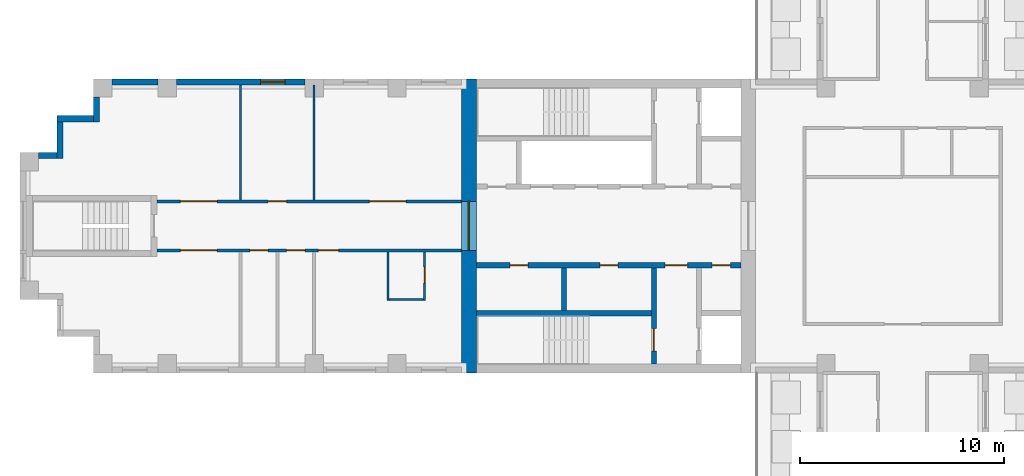
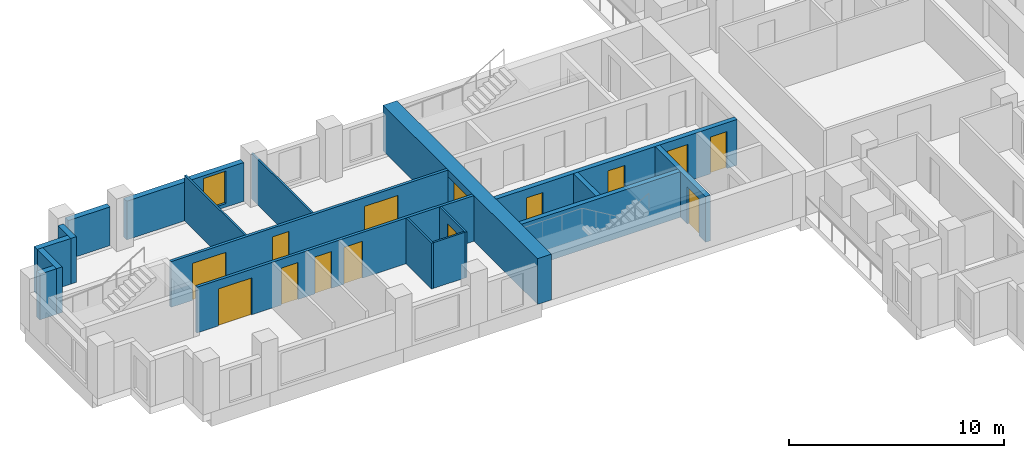
# One storey, part 3 of 11: 18 walls, 14 doors, 1 window, 15 openings.
"""IFC4 building model written with IfcOpenShell, lengths in metres."""

from ifc_helpers import new_model, si_unit, direction, frame, frame_2d, origin, place, context, subcontext, project, spatial, rectangle, extrude, material, layer, layer_set, type_object, element, fill, save


model = new_model("IFC4")

# Units and contexts
model_context = context("Model", 3, precision=1e-05, world=origin(), true_north=direction((0.0, 1.0)))
body_context = subcontext(model_context, "Body", "Model", "MODEL_VIEW")
ifc_project = project(units=[si_unit("LENGTHUNIT", "METRE"), si_unit("AREAUNIT", "SQUARE_METRE"), si_unit("VOLUMEUNIT", "CUBIC_METRE"), si_unit("PLANEANGLEUNIT", "RADIAN"), si_unit("MASSUNIT", "GRAM", prefix="KILO")], contexts=[model_context])

# Site, building, storey
site_placement = place(None, origin())
site = spatial("IfcSite", under=ifc_project, at=site_placement, CompositionType="ELEMENT")
building_placement = place(site_placement, origin())
building = spatial("IfcBuilding", under=site, at=building_placement, Name="Fustian Cross Tower", CompositionType="ELEMENT")
storey_placement = place(building_placement, frame((0.0, 0.0, 144.300048828125)))
storey = spatial("IfcBuildingStorey", under=building, at=storey_placement, Name="L45", CompositionType="ELEMENT", Elevation=144.300048828125)

# Wall, openings, doors
ifc_material_1 = material(Name="Plasterboard on steel stud", Category="steel")
ifc_layer_1 = layer(ifc_material_1, 0.14990234375)
ifc_layer_set_1 = layer_set([ifc_layer_1], Name="Plasterboard on steel stud")
wall_type_1 = type_object("IfcWallType", Name="COMPARTMENT WALL 150 EI 60", PredefinedType="PARTITIONING", material=ifc_layer_set_1)
wall_1_placement = place(storey_placement, frame((-36.5, -1.199951171875, 0.0), z_axis=(0.0, 0.0, 1.0), x_axis=(1.0, 0.0, 0.0)))
wall_1 = element("IfcWall", 1, at=wall_1_placement, inside=storey, type_object=wall_type_1, Name="Partition 1", PredefinedType="PARTITIONING", context=body_context, shape_type="SweptSolid", body=[
    extrude(rectangle(XDim=14.89990234375, YDim=0.14990234375, at=frame_2d((7.449951171875, 0.0))), origin(), (0.0, 0.0, 1.0), 2.599853515625),
])
opening_1_placement = place(wall_1_placement, frame((7.89990234375, 0.0, 0.0)))
opening_1 = element("IfcOpeningElement", 2, at=opening_1_placement, cuts=wall_1, Name="Opening D20021", PredefinedType="OPENING", context=body_context, shape_type="SweptSolid", body=[
    extrude(rectangle(XDim=1.0, YDim=2.10009765625, at=frame_2d((0.5, 1.050048828125))), frame((0.0, 0.0849609375, 0.0), z_axis=(0.0, -1.0, 0.0), x_axis=(1.0, 0.0, 0.0)), (0.0, 0.0, 1.0), 0.169921875),
])
opening_2_placement = place(wall_1_placement, frame((6.35009765625, 0.0, 0.0)))
opening_2 = element("IfcOpeningElement", 3, at=opening_2_placement, cuts=wall_1, Name="Opening D20022", PredefinedType="OPENING", context=body_context, shape_type="SweptSolid", body=[
    extrude(rectangle(XDim=0.89990234375, YDim=2.10009765625, at=frame_2d((0.449951171875, 1.050048828125))), frame((0.0, 0.0849609375, 0.0), z_axis=(0.0, -1.0, 0.0), x_axis=(1.0, 0.0, 0.0)), (0.0, 0.0, 1.0), 0.169921875),
])
opening_3_placement = place(wall_1_placement, frame((4.550048828125, 0.0, 0.0)))
opening_3 = element("IfcOpeningElement", 4, at=opening_3_placement, cuts=wall_1, Name="Opening D20023", PredefinedType="OPENING", context=body_context, shape_type="SweptSolid", body=[
    extrude(rectangle(XDim=0.89990234375, YDim=2.10009765625, at=frame_2d((0.449951171875, 1.050048828125))), frame((0.0, 0.0849609375, 0.0), z_axis=(0.0, -1.0, 0.0), x_axis=(1.0, 0.0, 0.0)), (0.0, 0.0, 1.0), 0.169921875),
])
opening_4_placement = place(wall_1_placement, frame((1.14990234375, 0.0, 0.0)))
opening_4 = element("IfcOpeningElement", 5, at=opening_4_placement, cuts=wall_1, Name="Opening D20024", PredefinedType="OPENING", context=body_context, shape_type="SweptSolid", body=[
    extrude(rectangle(XDim=1.800048828125, YDim=2.10009765625, at=frame_2d((0.89990234375, 1.050048828125))), frame((0.0, 0.0849609375, 0.0), z_axis=(0.0, -1.0, 0.0), x_axis=(1.0, 0.0, 0.0)), (0.0, 0.0, 1.0), 0.169921875),
])
ifc_material_2 = material(Name="Timber fire door set", Category="wood")
door_type_1 = type_object("IfcDoorType", Name="FIRE DOUBLE DOOR 1800 FD30S", OperationType="DOUBLE_DOOR_DOUBLE_SWING", PredefinedType="DOOR", material=ifc_material_2)
door_1_placement = place(opening_4_placement, origin())
door_1 = element("IfcDoor", 6, at=door_1_placement, inside=storey, type_object=door_type_1, Name="Door D20024", OperationType="DOUBLE_DOOR_DOUBLE_SWING", OverallHeight=2.10009765625, OverallWidth=1.800048828125, PredefinedType="DOOR", context=body_context, shape_type="SweptSolid", body=[
    extrude(rectangle(XDim=1.800048828125, YDim=2.10009765625, at=frame_2d((0.89990234375, 1.050048828125))), frame((0.0, 0.02490234375, 0.0), z_axis=(0.0, -1.0, 0.0), x_axis=(1.0, 0.0, 0.0)), (0.0, 0.0, 1.0), 0.050048828125),
])
fill(opening_4, door_1)
ifc_material_3 = material(Name="Timber fire door set", Category="wood")
door_type_2 = type_object("IfcDoorType", Name="FIRE SWING DOOR 1000 FD30S", OperationType="SINGLE_SWING_LEFT", PredefinedType="DOOR", material=ifc_material_3)
door_2_placement = place(opening_1_placement, frame((1.0, 0.0, 0.0), z_axis=(0.0, 0.0, 1.0), x_axis=(-1.0, 0.0, 0.0)))
door_2 = element("IfcDoor", 7, at=door_2_placement, inside=storey, type_object=door_type_2, Name="Door D20021", OperationType="SINGLE_SWING_RIGHT", OverallHeight=2.10009765625, OverallWidth=1.0, PredefinedType="DOOR", context=body_context, shape_type="SweptSolid", body=[
    extrude(rectangle(XDim=1.0, YDim=2.10009765625, at=frame_2d((0.5, 1.050048828125))), frame((0.0, 0.02490234375, 0.0), z_axis=(0.0, -1.0, 0.0), x_axis=(1.0, 0.0, 0.0)), (0.0, 0.0, 1.0), 0.050048828125),
])
fill(opening_1, door_2)
ifc_material_4 = material(Name="Timber fire door set", Category="wood")
door_type_3 = type_object("IfcDoorType", Name="FIRE SWING DOOR 900 FD30S", OperationType="SINGLE_SWING_LEFT", PredefinedType="DOOR", material=ifc_material_4)
door_3_placement = place(opening_2_placement, origin())
door_3 = element("IfcDoor", 8, at=door_3_placement, inside=storey, type_object=door_type_3, Name="Door D20022", OperationType="SINGLE_SWING_LEFT", OverallHeight=2.10009765625, OverallWidth=0.89990234375, PredefinedType="DOOR", context=body_context, shape_type="SweptSolid", body=[
    extrude(rectangle(XDim=0.89990234375, YDim=2.10009765625, at=frame_2d((0.449951171875, 1.050048828125))), frame((0.0, 0.02490234375, 0.0), z_axis=(0.0, -1.0, 0.0), x_axis=(1.0, 0.0, 0.0)), (0.0, 0.0, 1.0), 0.050048828125),
])
fill(opening_2, door_3)
door_4_placement = place(opening_3_placement, frame((0.89990234375, 0.0, 0.0), z_axis=(0.0, 0.0, 1.0), x_axis=(-1.0, 0.0, 0.0)))
door_4 = element("IfcDoor", 9, at=door_4_placement, inside=storey, type_object=door_type_3, Name="Door D20023", OperationType="SINGLE_SWING_LEFT", OverallHeight=2.10009765625, OverallWidth=0.89990234375, PredefinedType="DOOR", context=body_context, shape_type="SweptSolid", body=[
    extrude(rectangle(XDim=0.89990234375, YDim=2.10009765625, at=frame_2d((0.449951171875, 1.050048828125))), frame((0.0, 0.02490234375, 0.0), z_axis=(0.0, -1.0, 0.0), x_axis=(1.0, 0.0, 0.0)), (0.0, 0.0, 1.0), 0.050048828125),
])
fill(opening_3, door_4)

wall_2_placement = place(storey_placement, frame((-36.5, 1.199951171875, 0.0), z_axis=(0.0, 0.0, 1.0), x_axis=(1.0, 0.0, 0.0)))
wall_2 = element("IfcWall", 10, at=wall_2_placement, inside=storey, type_object=wall_type_1, Name="Partition 2", PredefinedType="PARTITIONING", context=body_context, shape_type="SweptSolid", body=[
    extrude(rectangle(XDim=14.89990234375, YDim=0.14990234375, at=frame_2d((7.449951171875, 0.0))), origin(), (0.0, 0.0, 1.0), 2.599853515625),
])
opening_5_placement = place(wall_2_placement, frame((10.39990234375, 0.0, 0.0)))
opening_5 = element("IfcOpeningElement", 11, at=opening_5_placement, cuts=wall_2, Name="Opening D20025", PredefinedType="OPENING", context=body_context, shape_type="SweptSolid", body=[
    extrude(rectangle(XDim=1.800048828125, YDim=2.10009765625, at=frame_2d((0.89990234375, 1.050048828125))), frame((0.0, 0.0849609375, 0.0), z_axis=(0.0, -1.0, 0.0), x_axis=(1.0, 0.0, 0.0)), (0.0, 0.0, 1.0), 0.169921875),
])
opening_6_placement = place(wall_2_placement, frame((5.449951171875, 0.0, 0.0)))
opening_6 = element("IfcOpeningElement", 12, at=opening_6_placement, cuts=wall_2, Name="Opening D20026", PredefinedType="OPENING", context=body_context, shape_type="SweptSolid", body=[
    extrude(rectangle(XDim=0.89990234375, YDim=2.10009765625, at=frame_2d((0.449951171875, 1.050048828125))), frame((0.0, 0.0849609375, 0.0), z_axis=(0.0, -1.0, 0.0), x_axis=(1.0, 0.0, 0.0)), (0.0, 0.0, 1.0), 0.169921875),
])
opening_7_placement = place(wall_2_placement, frame((1.14990234375, 0.0, 0.0)))
opening_7 = element("IfcOpeningElement", 13, at=opening_7_placement, cuts=wall_2, Name="Opening D20027", PredefinedType="OPENING", context=body_context, shape_type="SweptSolid", body=[
    extrude(rectangle(XDim=1.800048828125, YDim=2.10009765625, at=frame_2d((0.89990234375, 1.050048828125))), frame((0.0, 0.0849609375, 0.0), z_axis=(0.0, -1.0, 0.0), x_axis=(1.0, 0.0, 0.0)), (0.0, 0.0, 1.0), 0.169921875),
])
door_5_placement = place(opening_5_placement, frame((1.800048828125, 0.0, 0.0), z_axis=(0.0, 0.0, 1.0), x_axis=(-1.0, 0.0, 0.0)))
door_5 = element("IfcDoor", 14, at=door_5_placement, inside=storey, type_object=door_type_1, Name="Door D20025", OperationType="DOUBLE_DOOR_DOUBLE_SWING", OverallHeight=2.10009765625, OverallWidth=1.800048828125, PredefinedType="DOOR", context=body_context, shape_type="SweptSolid", body=[
    extrude(rectangle(XDim=1.800048828125, YDim=2.10009765625, at=frame_2d((0.89990234375, 1.050048828125))), frame((0.0, 0.02490234375, 0.0), z_axis=(0.0, -1.0, 0.0), x_axis=(1.0, 0.0, 0.0)), (0.0, 0.0, 1.0), 0.050048828125),
])
fill(opening_5, door_5)
door_6_placement = place(opening_7_placement, frame((1.800048828125, 0.0, 0.0), z_axis=(0.0, 0.0, 1.0), x_axis=(-1.0, 0.0, 0.0)))
door_6 = element("IfcDoor", 15, at=door_6_placement, inside=storey, type_object=door_type_1, Name="Door D20027", OperationType="DOUBLE_DOOR_DOUBLE_SWING", OverallHeight=2.10009765625, OverallWidth=1.800048828125, PredefinedType="DOOR", context=body_context, shape_type="SweptSolid", body=[
    extrude(rectangle(XDim=1.800048828125, YDim=2.10009765625, at=frame_2d((0.89990234375, 1.050048828125))), frame((0.0, 0.02490234375, 0.0), z_axis=(0.0, -1.0, 0.0), x_axis=(1.0, 0.0, 0.0)), (0.0, 0.0, 1.0), 0.050048828125),
])
fill(opening_7, door_6)
door_7_placement = place(opening_6_placement, origin())
door_7 = element("IfcDoor", 16, at=door_7_placement, inside=storey, type_object=door_type_3, Name="Door D20026", OperationType="SINGLE_SWING_LEFT", OverallHeight=2.10009765625, OverallWidth=0.89990234375, PredefinedType="DOOR", context=body_context, shape_type="SweptSolid", body=[
    extrude(rectangle(XDim=0.89990234375, YDim=2.10009765625, at=frame_2d((0.449951171875, 1.050048828125))), frame((0.0, 0.02490234375, 0.0), z_axis=(0.0, -1.0, 0.0), x_axis=(1.0, 0.0, 0.0)), (0.0, 0.0, 1.0), 0.050048828125),
])
fill(opening_6, door_7)

# Wall, opening, door
ifc_material_5 = material(Name="Concrete C60/75", Category="concrete")
ifc_layer_2 = layer(ifc_material_5, 0.75)
ifc_layer_set_2 = layer_set([ifc_layer_2], Name="Concrete C60/75")
wall_type_2 = type_object("IfcWallType", Name="CORE END WALL 750 C60/75", PredefinedType="SHEAR", material=ifc_layer_set_2)
wall_3_placement = place(storey_placement, frame((-21.22509765625, -7.199951171875, 0.0), z_axis=(0.0, 0.0, 1.0), x_axis=(0.0, 1.0, 0.0)))
wall_3 = element("IfcWall", 17, at=wall_3_placement, inside=storey, type_object=wall_type_2, Name="Core end wall", PredefinedType="SHEAR", context=body_context, shape_type="SweptSolid", body=[
    extrude(rectangle(XDim=14.39990234375, YDim=0.75, at=frame_2d((7.199951171875, 0.0))), origin(), (0.0, 0.0, 1.0), 2.599853515625),
])
opening_8_placement = place(wall_3_placement, frame((6.0, 0.0, 0.0)))
opening_8 = element("IfcOpeningElement", 18, at=opening_8_placement, cuts=wall_3, Name="Opening CD-18-29", PredefinedType="OPENING", context=body_context, shape_type="SweptSolid", body=[
    extrude(rectangle(XDim=2.39990234375, YDim=2.199951171875, at=frame_2d((1.199951171875, 1.10009765625))), frame((0.0, 0.385009765625, 0.0), z_axis=(0.0, -1.0, 0.0), x_axis=(1.0, 0.0, 0.0)), (0.0, 0.0, 1.0), 0.77001953125),
])
ifc_material_6 = material(Name="Steel", Category="steel")
door_type_4 = type_object("IfcDoorType", Name="FIRE DOOR FD30S DOUBLE 2400X2200", OperationType="DOUBLE_DOOR_DOUBLE_SWING", PredefinedType="DOOR", material=ifc_material_6)
door_8_placement = place(opening_8_placement, frame((2.39990234375, 0.0, 0.0), z_axis=(0.0, 0.0, 1.0), x_axis=(-1.0, 0.0, 0.0)))
door_8 = element("IfcDoor", 19, at=door_8_placement, inside=storey, type_object=door_type_4, Name="Core door CD-18-29", OperationType="DOUBLE_DOOR_DOUBLE_SWING", OverallHeight=2.199951171875, OverallWidth=2.39990234375, PredefinedType="DOOR", context=body_context, shape_type="SweptSolid", body=[
    extrude(rectangle(XDim=2.39990234375, YDim=2.199951171875, at=frame_2d((1.199951171875, 1.10009765625))), frame((0.0, 0.02490234375, 0.0), z_axis=(0.0, -1.0, 0.0), x_axis=(1.0, 0.0, 0.0)), (0.0, 0.0, 1.0), 0.050048828125),
])
fill(opening_8, door_8)

# Wall, openings, doors
ifc_material_7 = material(Name="Concrete C50/60", Category="concrete")
ifc_layer_3 = layer(ifc_material_7, 0.25)
ifc_layer_set_3 = layer_set([ifc_layer_3], Name="Concrete C50/60")
wall_type_3 = type_object("IfcWallType", Name="CORE LOBBY WALL 250 C50/60", PredefinedType="SHEAR", material=ifc_layer_set_3)
wall_4_placement = place(storey_placement, frame((-7.89990234375, -1.925048828125, 0.0), z_axis=(0.0, 0.0, 1.0), x_axis=(-1.0, 0.0, 0.0)))
wall_4 = element("IfcWall", 20, at=wall_4_placement, inside=storey, type_object=wall_type_3, Name="Core lobby wall", PredefinedType="SHEAR", context=body_context, shape_type="SweptSolid", body=[
    extrude(rectangle(XDim=12.9501953125, YDim=0.25, at=frame_2d((6.47509765625, 0.0))), origin(), (0.0, 0.0, 1.0), 2.599853515625),
])
opening_9_placement = place(wall_4_placement, frame((0.52490234375, 0.0, 0.0)))
opening_9 = element("IfcOpeningElement", 21, at=opening_9_placement, cuts=wall_4, Name="Opening CD-18-25", PredefinedType="OPENING", context=body_context, shape_type="SweptSolid", body=[
    extrude(rectangle(XDim=0.89990234375, YDim=2.10009765625, at=frame_2d((0.449951171875, 1.050048828125))), frame((0.0, 0.135009765625, 0.0), z_axis=(0.0, -1.0, 0.0), x_axis=(1.0, 0.0, 0.0)), (0.0, 0.0, 1.0), 0.27001953125),
])
opening_10_placement = place(wall_4_placement, frame((2.625, 0.0, 0.0)))
opening_10 = element("IfcOpeningElement", 22, at=opening_10_placement, cuts=wall_4, Name="Opening CD-18-27", PredefinedType="OPENING", context=body_context, shape_type="SweptSolid", body=[
    extrude(rectangle(XDim=1.10009765625, YDim=2.10009765625, at=frame_2d((0.550048828125, 1.050048828125))), frame((0.0, 0.135009765625, 0.0), z_axis=(0.0, -1.0, 0.0), x_axis=(1.0, 0.0, 0.0)), (0.0, 0.0, 1.0), 0.27001953125),
])
opening_11_placement = place(wall_4_placement, frame((6.02490234375, 0.0, 0.0)))
opening_11 = element("IfcOpeningElement", 23, at=opening_11_placement, cuts=wall_4, Name="Opening CD-18-31", PredefinedType="OPENING", context=body_context, shape_type="SweptSolid", body=[
    extrude(rectangle(XDim=0.89990234375, YDim=2.10009765625, at=frame_2d((0.449951171875, 1.050048828125))), frame((0.0, 0.135009765625, 0.0), z_axis=(0.0, -1.0, 0.0), x_axis=(1.0, 0.0, 0.0)), (0.0, 0.0, 1.0), 0.27001953125),
])
opening_12_placement = place(wall_4_placement, frame((10.425048828125, 0.0, 0.0)))
opening_12 = element("IfcOpeningElement", 24, at=opening_12_placement, cuts=wall_4, Name="Opening CD-18-32", PredefinedType="OPENING", context=body_context, shape_type="SweptSolid", body=[
    extrude(rectangle(XDim=0.89990234375, YDim=2.10009765625, at=frame_2d((0.449951171875, 1.050048828125))), frame((0.0, 0.135009765625, 0.0), z_axis=(0.0, -1.0, 0.0), x_axis=(1.0, 0.0, 0.0)), (0.0, 0.0, 1.0), 0.27001953125),
])
ifc_material_8 = material(Name="Steel", Category="steel")
door_type_5 = type_object("IfcDoorType", Name="FIRE DOOR FD30S 1100X2100", OperationType="SINGLE_SWING_LEFT", PredefinedType="DOOR", material=ifc_material_8)
door_9_placement = place(opening_10_placement, frame((1.10009765625, 0.0, 0.0), z_axis=(0.0, 0.0, 1.0), x_axis=(-1.0, 0.0, 0.0)))
door_9 = element("IfcDoor", 25, at=door_9_placement, inside=storey, type_object=door_type_5, Name="Core door CD-18-27", OperationType="SINGLE_SWING_RIGHT", OverallHeight=2.10009765625, OverallWidth=1.10009765625, PredefinedType="DOOR", context=body_context, shape_type="SweptSolid", body=[
    extrude(rectangle(XDim=1.10009765625, YDim=2.10009765625, at=frame_2d((0.550048828125, 1.050048828125))), frame((0.0, 0.02490234375, 0.0), z_axis=(0.0, -1.0, 0.0), x_axis=(1.0, 0.0, 0.0)), (0.0, 0.0, 1.0), 0.050048828125),
])
fill(opening_10, door_9)
ifc_material_9 = material(Name="Steel", Category="steel")
door_type_6 = type_object("IfcDoorType", Name="FIRE DOOR FD30S 900X2100", OperationType="SINGLE_SWING_LEFT", PredefinedType="DOOR", material=ifc_material_9)
door_10_placement = place(opening_9_placement, origin())
door_10 = element("IfcDoor", 26, at=door_10_placement, inside=storey, type_object=door_type_6, Name="Core door CD-18-25", OperationType="SINGLE_SWING_LEFT", OverallHeight=2.10009765625, OverallWidth=0.89990234375, PredefinedType="DOOR", context=body_context, shape_type="SweptSolid", body=[
    extrude(rectangle(XDim=0.89990234375, YDim=2.10009765625, at=frame_2d((0.449951171875, 1.050048828125))), frame((0.0, 0.02490234375, 0.0), z_axis=(0.0, -1.0, 0.0), x_axis=(1.0, 0.0, 0.0)), (0.0, 0.0, 1.0), 0.050048828125),
])
fill(opening_9, door_10)
door_11_placement = place(opening_11_placement, origin())
door_11 = element("IfcDoor", 27, at=door_11_placement, inside=storey, type_object=door_type_6, Name="Core door CD-18-31", OperationType="SINGLE_SWING_RIGHT", OverallHeight=2.10009765625, OverallWidth=0.89990234375, PredefinedType="DOOR", context=body_context, shape_type="SweptSolid", body=[
    extrude(rectangle(XDim=0.89990234375, YDim=2.10009765625, at=frame_2d((0.449951171875, 1.050048828125))), frame((0.0, 0.02490234375, 0.0), z_axis=(0.0, -1.0, 0.0), x_axis=(1.0, 0.0, 0.0)), (0.0, 0.0, 1.0), 0.050048828125),
])
fill(opening_11, door_11)
door_12_placement = place(opening_12_placement, origin())
door_12 = element("IfcDoor", 28, at=door_12_placement, inside=storey, type_object=door_type_6, Name="Core door CD-18-32", OperationType="SINGLE_SWING_RIGHT", OverallHeight=2.10009765625, OverallWidth=0.89990234375, PredefinedType="DOOR", context=body_context, shape_type="SweptSolid", body=[
    extrude(rectangle(XDim=0.89990234375, YDim=2.10009765625, at=frame_2d((0.449951171875, 1.050048828125))), frame((0.0, 0.02490234375, 0.0), z_axis=(0.0, -1.0, 0.0), x_axis=(1.0, 0.0, 0.0)), (0.0, 0.0, 1.0), 0.050048828125),
])
fill(opening_12, door_12)

# Wall
ifc_material_10 = material(Name="Concrete C50/60", Category="concrete")
ifc_layer_4 = layer(ifc_material_10, 0.25)
ifc_layer_set_4 = layer_set([ifc_layer_4], Name="Concrete C50/60")
wall_type_4 = type_object("IfcWallType", Name="CORE SHAFT WALL 250 C50/60", PredefinedType="SHEAR", material=ifc_layer_set_4)
wall_5_placement = place(storey_placement, frame((-12.300048828125, -4.27490234375, 0.0), z_axis=(0.0, 0.0, 1.0), x_axis=(-1.0, 0.0, 0.0)))
element("IfcWall", 29, at=wall_5_placement, inside=storey, type_object=wall_type_4, Name="Core shaft wall", PredefinedType="SHEAR", context=body_context, shape_type="SweptSolid", body=[
    extrude(rectangle(XDim=8.550048828125, YDim=0.25, at=frame_2d((4.27490234375, 0.0))), origin(), (0.0, 0.0, 1.0), 2.599853515625),
])

# Wall, opening, door
wall_6_placement = place(storey_placement, frame((-12.175048828125, -2.050048828125, 0.0), z_axis=(0.0, 0.0, 1.0), x_axis=(0.0, -1.0, 0.0)))
wall_6 = element("IfcWall", 30, at=wall_6_placement, inside=storey, type_object=wall_type_4, Name="Core shaft wall", PredefinedType="SHEAR", context=body_context, shape_type="SweptSolid", body=[
    extrude(rectangle(XDim=4.699951171875, YDim=0.25, at=frame_2d((2.35009765625, 0.0))), origin(), (0.0, 0.0, 1.0), 2.599853515625),
])
opening_13_placement = place(wall_6_placement, frame((2.97509765625, 0.0, 0.0)))
opening_13 = element("IfcOpeningElement", 31, at=opening_13_placement, cuts=wall_6, Name="Opening CD-18-23", PredefinedType="OPENING", context=body_context, shape_type="SweptSolid", body=[
    extrude(rectangle(XDim=1.10009765625, YDim=2.10009765625, at=frame_2d((0.550048828125, 1.050048828125))), frame((0.0, 0.135009765625, 0.0), z_axis=(0.0, -1.0, 0.0), x_axis=(1.0, 0.0, 0.0)), (0.0, 0.0, 1.0), 0.27001953125),
])
ifc_material_11 = material(Name="Steel", Category="steel")
door_type_7 = type_object("IfcDoorType", Name="FIRE DOOR FD60S 1100X2100", OperationType="SINGLE_SWING_LEFT", PredefinedType="DOOR", material=ifc_material_11)
door_13_placement = place(opening_13_placement, frame((1.10009765625, 0.0, 0.0), z_axis=(0.0, 0.0, 1.0), x_axis=(-1.0, 0.0, 0.0)))
door_13 = element("IfcDoor", 32, at=door_13_placement, inside=storey, type_object=door_type_7, Name="Core door CD-18-23", OperationType="SINGLE_SWING_RIGHT", OverallHeight=2.10009765625, OverallWidth=1.10009765625, PredefinedType="DOOR", context=body_context, shape_type="SweptSolid", body=[
    extrude(rectangle(XDim=1.10009765625, YDim=2.10009765625, at=frame_2d((0.550048828125, 1.050048828125))), frame((0.0, 0.02490234375, 0.0), z_axis=(0.0, -1.0, 0.0), x_axis=(1.0, 0.0, 0.0)), (0.0, 0.0, 1.0), 0.050048828125),
])
fill(opening_13, door_13)

# Walls
ifc_material_12 = material(Name="Plasterboard on steel stud", Category="steel")
ifc_layer_5 = layer(ifc_material_12, 0.10009765625)
ifc_layer_set_5 = layer_set([ifc_layer_5], Name="Plasterboard on steel stud")
wall_type_5 = type_object("IfcWallType", Name="PARTITION 100 STUD", PredefinedType="PARTITIONING", material=ifc_layer_set_5)
for number, where, z_axis, x_axis, name in (
    (33, (-32.39990234375, 1.27490234375, 0.0), (0.0, 0.0, 1.0), (0.0, 1.0, 0.0), "Partition 4"),
    (34, (-28.800048828125, 1.27490234375, 0.0), (0.0, 0.0, 1.0), (0.0, 1.0, 0.0), "Partition 7"),
):
    element("IfcWall", number, at=place(storey_placement, frame(where, z_axis=z_axis, x_axis=x_axis)), inside=storey, type_object=wall_type_5, Name=name, PredefinedType="PARTITIONING", context=body_context, shape_type="SweptSolid", body=[
        extrude(rectangle(XDim=5.625, YDim=0.10009765625, at=frame_2d((2.8125, 0.0))), origin(), (0.0, 0.0, 1.0), 2.599853515625),
    ])
wall_7_placement = place(storey_placement, frame((-25.199951171875, -3.64990234375, 0.0), z_axis=(0.0, 0.0, 1.0), x_axis=(0.0, 1.0, 0.0)))
element("IfcWall", 35, at=wall_7_placement, inside=storey, type_object=wall_type_5, Name="Partition 8", PredefinedType="PARTITIONING", context=body_context, shape_type="SweptSolid", body=[
    extrude(rectangle(XDim=2.375, YDim=0.10009765625, at=frame_2d((1.1875, 0.0))), origin(), (0.0, 0.0, 1.0), 2.599853515625),
])
wall_8_placement = place(storey_placement, frame((-25.14990234375, -3.60009765625, 0.0), z_axis=(0.0, 0.0, 1.0), x_axis=(1.0, 0.0, 0.0)))
element("IfcWall", 36, at=wall_8_placement, inside=storey, type_object=wall_type_5, Name="Partition 9", PredefinedType="PARTITIONING", context=body_context, shape_type="SweptSolid", body=[
    extrude(rectangle(XDim=1.699951171875, YDim=0.10009765625, at=frame_2d((0.85009765625, 0.0))), origin(), (0.0, 0.0, 1.0), 2.599853515625),
])

# Wall, opening, door
wall_9_placement = place(storey_placement, frame((-23.39990234375, -3.64990234375, 0.0), z_axis=(0.0, 0.0, 1.0), x_axis=(0.0, 1.0, 0.0)))
wall_9 = element("IfcWall", 37, at=wall_9_placement, inside=storey, type_object=wall_type_5, Name="Partition 10", PredefinedType="PARTITIONING", context=body_context, shape_type="SweptSolid", body=[
    extrude(rectangle(XDim=2.375, YDim=0.10009765625, at=frame_2d((1.1875, 0.0))), origin(), (0.0, 0.0, 1.0), 2.599853515625),
])
opening_14_placement = place(wall_9_placement, frame((0.85009765625, 0.0, 0.0)))
opening_14 = element("IfcOpeningElement", 38, at=opening_14_placement, cuts=wall_9, Name="Opening D20020", PredefinedType="OPENING", context=body_context, shape_type="SweptSolid", body=[
    extrude(rectangle(XDim=0.800048828125, YDim=2.10009765625, at=frame_2d((0.39990234375, 1.050048828125))), frame((0.0, 0.06005859375, 0.0), z_axis=(0.0, -1.0, 0.0), x_axis=(1.0, 0.0, 0.0)), (0.0, 0.0, 1.0), 0.1201171875),
])
ifc_material_13 = material(Name="Painted timber", Category="wood")
door_type_8 = type_object("IfcDoorType", Name="SWING DOOR 800", OperationType="SINGLE_SWING_LEFT", PredefinedType="DOOR", material=ifc_material_13)
door_14_placement = place(opening_14_placement, origin())
door_14 = element("IfcDoor", 39, at=door_14_placement, inside=storey, type_object=door_type_8, Name="Door D20020", OperationType="SINGLE_SWING_LEFT", OverallHeight=2.10009765625, OverallWidth=0.800048828125, PredefinedType="DOOR", context=body_context, shape_type="SweptSolid", body=[
    extrude(rectangle(XDim=0.800048828125, YDim=2.10009765625, at=frame_2d((0.39990234375, 1.050048828125))), frame((0.0, 0.02490234375, 0.0), z_axis=(0.0, -1.0, 0.0), x_axis=(1.0, 0.0, 0.0)), (0.0, 0.0, 1.0), 0.050048828125),
])
fill(opening_14, door_14)

# Wall
ifc_material_14 = material(Name="Concrete C40/50", Category="concrete")
ifc_layer_6 = layer(ifc_material_14, 0.25)
ifc_layer_set_6 = layer_set([ifc_layer_6], Name="Concrete C40/50")
wall_type_6 = type_object("IfcWallType", Name="SHAFT PARTITION WALL 250 C40/50", PredefinedType="PARTITIONING", material=ifc_layer_set_6)
wall_10_placement = place(storey_placement, frame((-16.574951171875, -2.050048828125, 0.0), z_axis=(0.0, 0.0, 1.0), x_axis=(0.0, -1.0, 0.0)))
element("IfcWall", 40, at=wall_10_placement, inside=storey, type_object=wall_type_6, Name="Core shaft wall", PredefinedType="PARTITIONING", context=body_context, shape_type="SweptSolid", body=[
    extrude(rectangle(XDim=2.099853515625, YDim=0.25, at=frame_2d((1.0498046875, 0.0))), origin(), (0.0, 0.0, 1.0), 2.599853515625),
])

# Wall, opening, window
ifc_material_15 = material(Name="Dark aluminium cladding on insulated backing wall", Category="aluminium")
ifc_layer_7 = layer(ifc_material_15, 0.300048828125)
ifc_layer_set_7 = layer_set([ifc_layer_7], Name="Dark aluminium cladding on insulated backing wall")
wall_type_7 = type_object("IfcWallType", Name="XW1 EXTERNAL WALL 300", PredefinedType="SOLIDWALL", material=ifc_layer_set_7)
wall_11_placement = place(storey_placement, frame((-29.25, 7.050048828125, 0.0), z_axis=(0.0, 0.0, 1.0), x_axis=(-1.0, 0.0, 0.0)))
wall_11 = element("IfcWall", 41, at=wall_11_placement, inside=storey, type_object=wall_type_7, Name="External wall", PredefinedType="SOLIDWALL", context=body_context, shape_type="SweptSolid", body=[
    extrude(rectangle(XDim=6.300048828125, YDim=0.300048828125, at=frame_2d((3.14990234375, 0.0))), origin(), (0.0, 0.0, 1.0), 2.199951171875),
])
opening_15_placement = place(wall_11_placement, frame((0.97509765625, 0.0, 0.199951171875)))
opening_15 = element("IfcOpeningElement", 42, at=opening_15_placement, cuts=wall_11, Name="Opening WN3", PredefinedType="OPENING", context=body_context, shape_type="SweptSolid", body=[
    extrude(rectangle(XDim=1.199951171875, YDim=1.85009765625, at=frame_2d((0.60009765625, 0.925048828125))), frame((0.0, 0.159912109375, 0.0), z_axis=(0.0, -1.0, 0.0), x_axis=(1.0, 0.0, 0.0)), (0.0, 0.0, 1.0), 0.320068359375),
])
ifc_material_16 = material(Name="Dark anodised aluminium and double glazing", Category="aluminium")
window_type = type_object("IfcWindowType", Name="WN3 WINDOW 1200X1850", PartitioningType="SINGLE_PANEL", PredefinedType="WINDOW", material=ifc_material_16)
window_placement = place(opening_15_placement, origin())
window = element("IfcWindow", 43, at=window_placement, inside=storey, type_object=window_type, Name="Window", OverallHeight=1.85009765625, OverallWidth=1.199951171875, PartitioningType="SINGLE_PANEL", PredefinedType="WINDOW", context=body_context, shape_type="SweptSolid", body=[
    extrude(rectangle(XDim=1.199951171875, YDim=1.85009765625, at=frame_2d((0.60009765625, 0.925048828125))), frame((0.0, 0.030029296875, 0.0), z_axis=(0.0, -1.0, 0.0), x_axis=(1.0, 0.0, 0.0)), (0.0, 0.0, 1.0), 0.06005859375),
])
fill(opening_15, window)

# Walls
wall_12_placement = place(storey_placement, frame((-36.449951171875, 7.050048828125, 0.0), z_axis=(0.0, 0.0, 1.0), x_axis=(-1.0, 0.0, 0.0)))
element("IfcWall", 44, at=wall_12_placement, inside=storey, type_object=wall_type_7, Name="External wall", PredefinedType="SOLIDWALL", context=body_context, shape_type="SweptSolid", body=[
    extrude(rectangle(XDim=2.25, YDim=0.300048828125, at=frame_2d((1.125, 0.0))), origin(), (0.0, 0.0, 1.0), 2.199951171875),
])
wall_13_placement = place(storey_placement, frame((-39.449951171875, 6.300048828125, 0.0), z_axis=(0.0, 0.0, 1.0), x_axis=(0.0, -1.0, 0.0)))
element("IfcWall", 45, at=wall_13_placement, inside=storey, type_object=wall_type_7, Name="External wall", PredefinedType="SOLIDWALL", context=body_context, shape_type="SweptSolid", body=[
    extrude(rectangle(XDim=1.199951171875, YDim=0.300048828125, at=frame_2d((0.60009765625, 0.0))), origin(), (0.0, 0.0, 1.0), 2.599853515625),
])
wall_14_placement = place(storey_placement, frame((-39.60009765625, 5.25, 0.0), z_axis=(0.0, 0.0, 1.0), x_axis=(-1.0, 0.0, 0.0)))
element("IfcWall", 46, at=wall_14_placement, inside=storey, type_object=wall_type_7, Name="External wall", PredefinedType="SOLIDWALL", context=body_context, shape_type="SweptSolid", body=[
    extrude(rectangle(XDim=1.7998046875, YDim=0.300048828125, at=frame_2d((0.89990234375, 0.0))), origin(), (0.0, 0.0, 1.0), 2.599853515625),
])
wall_15_placement = place(storey_placement, frame((-41.25, 5.10009765625, 0.0), z_axis=(0.0, 0.0, 1.0), x_axis=(0.0, -1.0, 0.0)))
element("IfcWall", 47, at=wall_15_placement, inside=storey, type_object=wall_type_7, Name="External wall", PredefinedType="SOLIDWALL", context=body_context, shape_type="SweptSolid", body=[
    extrude(rectangle(XDim=1.800048828125, YDim=0.300048828125, at=frame_2d((0.89990234375, 0.0))), origin(), (0.0, 0.0, 1.0), 2.599853515625),
])
wall_16_placement = place(storey_placement, frame((-41.39990234375, 3.449951171875, 0.0), z_axis=(0.0, 0.0, 1.0), x_axis=(-1.0, 0.0, 0.0)))
element("IfcWall", 48, at=wall_16_placement, inside=storey, type_object=wall_type_7, Name="External wall", PredefinedType="SOLIDWALL", context=body_context, shape_type="SweptSolid", body=[
    extrude(rectangle(XDim=0.900146484375, YDim=0.300048828125, at=frame_2d((0.4501953125, 0.0))), origin(), (0.0, 0.0, 1.0), 2.599853515625),
])

save(model, "model.ifc")
